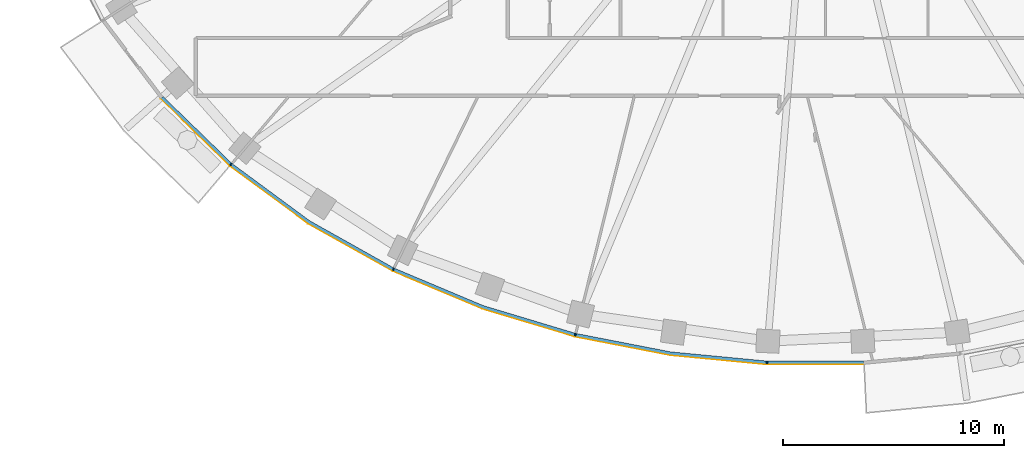
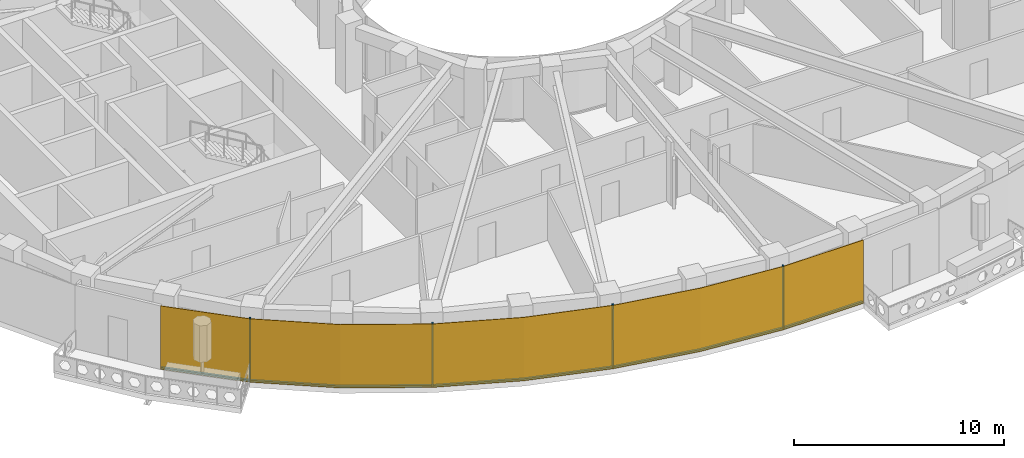
# One storey, part 9 of 17: 9 members, 1 curtain wall.
"""IFC4 building model written with IfcOpenShell, lengths in metres."""

import ifcopenshell
import ifcopenshell.guid

model = None  # the IFC model being written
_history = None  # IfcOwnerHistory: only IFC2X3 demands one
_inside = {}  # id of a spatial element -> (the spatial element, [elements in it])
_under = {}  # id of a project, library or spatial element -> (it, [spatial elements below it])
_declared = {}  # id of a project -> (the project, [libraries it declares])
_typed = {}  # id of a type object -> (the type object, [elements of that type])
_made_of = {}  # id of a material, layer set ... -> (it, [elements and type objects made of it])


def new_model(schema):
    """Start an empty IFC model of exactly this schema.

    Asked for "IFC4X3", IfcOpenShell would pick the latest addendum, in which some entities
    have other attributes; the version numbers below select the first issue.
    IFC2X3 requires an IfcOwnerHistory on every rooted entity: one is made here for all.
    """
    global model, _history
    if schema == "IFC4X3":
        model = ifcopenshell.file(schema_version=(4, 3, 0, 0))
    else:
        model = ifcopenshell.file(schema=schema)
    _inside.clear()
    _under.clear()
    _declared.clear()
    _typed.clear()
    _made_of.clear()
    _history = None
    if model.schema == "IFC2X3":
        org = make("IfcOrganization", Name="unknown")
        user = make(
            "IfcPersonAndOrganization",
            ThePerson=make("IfcPerson", FamilyName="unknown"),
            TheOrganization=org,
        )
        app = make(
            "IfcApplication",
            ApplicationDeveloper=org,
            Version="unknown",
            ApplicationFullName="unknown",
            ApplicationIdentifier="unknown",
        )
        _history = make(
            "IfcOwnerHistory",
            OwningUser=user,
            OwningApplication=app,
            ChangeAction="ADDED",
            CreationDate=0,
        )
    return model


def make(cls, **values):
    """One entity of the class cls with the attributes given. An attribute that is None is left unset."""
    return model.create_entity(
        cls, **{name: value for name, value in values.items() if value is not None}
    )


def rooted(cls, **values):
    """An entity with a GlobalId (a new one), such as an element, a storey or a relation."""
    return make(cls, GlobalId=ifcopenshell.guid.new(), OwnerHistory=_history, **values)


def si_unit(unit_type, name, prefix=None):
    """IfcSIUnit, for example si_unit("LENGTHUNIT", "METRE", prefix="MILLI")."""
    return make("IfcSIUnit", UnitType=unit_type, Prefix=prefix, Name=name)


def assignment(units):
    """IfcUnitAssignment: the units of a project."""
    return None if units is None else make("IfcUnitAssignment", Units=units)


def point(xyz):
    """IfcCartesianPoint."""
    return None if xyz is None else make("IfcCartesianPoint", Coordinates=xyz)


def direction(xyz):
    """IfcDirection."""
    return None if xyz is None else make("IfcDirection", DirectionRatios=xyz)


def frame(location, z_axis=None, x_axis=None):
    """IfcAxis2Placement3D, a coordinate frame: its origin and axes. An axis left out is left unset."""
    return make(
        "IfcAxis2Placement3D",
        Location=point(location),
        Axis=direction(z_axis),
        RefDirection=direction(x_axis),
    )


def frame_2d(location, x_axis=None):
    """IfcAxis2Placement2D, a coordinate frame in the plane: its origin and x axis."""
    return make(
        "IfcAxis2Placement2D", Location=point(location), RefDirection=direction(x_axis)
    )


def origin():
    """The frame at (0, 0, 0) with its axes left unset."""
    return frame((0.0, 0.0, 0.0))


def origin_2d():
    """The frame at (0, 0) in the plane with its x axis left unset."""
    return frame_2d((0.0, 0.0))


def place(relative_to, where):
    """IfcLocalPlacement: puts the frame where relative to a parent placement (None: the world)."""
    return make(
        "IfcLocalPlacement", PlacementRelTo=relative_to, RelativePlacement=where
    )


def context(
    kind, dimensions, precision=None, world=None, true_north=None, identifier=None
):
    """IfcGeometricRepresentationContext, for example the 3D "Model" context."""
    return make(
        "IfcGeometricRepresentationContext",
        ContextIdentifier=identifier,
        ContextType=kind,
        CoordinateSpaceDimension=dimensions,
        Precision=precision,
        WorldCoordinateSystem=world,
        TrueNorth=true_north,
    )


def subcontext(parent, identifier, kind, view, scale=None):
    """IfcGeometricRepresentationSubContext, for example "Body" below "Model"."""
    return make(
        "IfcGeometricRepresentationSubContext",
        ContextIdentifier=identifier,
        ContextType=kind,
        ParentContext=parent,
        TargetScale=scale,
        TargetView=view,
    )


def project(units=None, contexts=None):
    """IfcProject with its units and contexts."""
    return rooted(
        "IfcProject",
        Name="project",
        RepresentationContexts=contexts,
        UnitsInContext=assignment(units),
    )


def spatial(cls, under=None, at=None, **own):
    """A site, building, storey or space (cls), placed at a placement, below another one or the project."""
    s = rooted(cls, ObjectPlacement=at, **own)
    if under is not None:
        _under.setdefault(under.id(), (under, []))[1].append(s)
    return s


def polyline(points):
    """IfcPolyline through the points."""
    return make("IfcPolyline", Points=[point(p) for p in points])


def profile(cls, at=None, kind="AREA", **sizes):
    """A parametric profile (cls). Its sizes go by their IFC names, for example OverallWidth=200.0."""
    return make(cls, ProfileType=kind, Position=at, **sizes)


def rectangle(**sizes):
    """IfcRectangleProfileDef."""
    return profile("IfcRectangleProfileDef", **sizes)


def outline(outer, holes=None, kind="AREA"):
    """IfcArbitraryClosedProfileDef: a profile drawn as a closed curve; with holes, ...WithVoids."""
    if holes is None:
        return make("IfcArbitraryClosedProfileDef", ProfileType=kind, OuterCurve=outer)
    return make(
        "IfcArbitraryProfileDefWithVoids",
        ProfileType=kind,
        OuterCurve=outer,
        InnerCurves=holes,
    )


def extrude(swept, where, along, depth):
    """IfcExtrudedAreaSolid: the profile swept, set in the frame where, extruded along a direction by depth."""
    return make(
        "IfcExtrudedAreaSolid",
        SweptArea=swept,
        Position=where,
        ExtrudedDirection=direction(along),
        Depth=depth,
    )


def shape(context_of_items, identifier, shape_type, items):
    """IfcShapeRepresentation: the items that make up one representation, for example the "Body"."""
    return make(
        "IfcShapeRepresentation",
        ContextOfItems=context_of_items,
        RepresentationIdentifier=identifier,
        RepresentationType=shape_type,
        Items=items,
    )


def material(Name=None, Category=None):
    """IfcMaterial."""
    return make("IfcMaterial", Name=Name, Category=Category)


def layer(
    of_material, thickness, ventilated=None, Name=None, Category=None, Priority=None
):
    """IfcMaterialLayer: one layer of a wall or slab, of a material (None: an air gap)."""
    return make(
        "IfcMaterialLayer",
        Material=of_material,
        LayerThickness=thickness,
        IsVentilated=ventilated,
        Name=Name,
        Category=Category,
        Priority=Priority,
    )


def layer_set(layers, Name=None):
    """IfcMaterialLayerSet."""
    return make("IfcMaterialLayerSet", MaterialLayers=layers, LayerSetName=Name)


def material_profile(
    of_material, cross_section, Name=None, Category=None, Priority=None
):
    """IfcMaterialProfile: a cross section and its material."""
    return make(
        "IfcMaterialProfile",
        Name=Name,
        Material=of_material,
        Profile=cross_section,
        Priority=Priority,
        Category=Category,
    )


def profile_set(profiles, Name=None, composite=None):
    """IfcMaterialProfileSet."""
    return make(
        "IfcMaterialProfileSet",
        Name=Name,
        MaterialProfiles=profiles,
        CompositeProfile=composite,
    )


def made_of(thing, what):
    """Note that an element or type object is made of a material, layer set ...; save() writes the relation."""
    if what is not None:
        _made_of.setdefault(what.id(), (what, []))[1].append(thing)
    return thing


def type_object(cls, material=None, **own):
    """A type object (cls), such as IfcWallType, which elements share."""
    return made_of(rooted(cls, **own), material)


def element(
    cls,
    number,
    at=None,
    inside=None,
    cuts=None,
    type_object=None,
    material=None,
    context=None,
    identifier="Body",
    shape_type=None,
    held_by="IfcProductDefinitionShape",
    body=None,
    shapes=None,
    **own,
):
    """One element of the class cls, such as IfcWall. Its Tag is "e" and its number.

    at: its placement. inside: the storey or other place that contains it. cuts: it is an
    opening in that element (IfcRelVoidsElement). A single representation is given by context,
    identifier, shape_type and body (its items); several are given by shapes. held_by: the class
    of the entity that holds the representations. save() writes the other relations.
    """
    e = rooted(cls, Tag="e%d" % number, ObjectPlacement=at, **own)
    if body is not None:
        shapes = [shape(context, identifier, shape_type, body)]
    if shapes is not None:
        e.Representation = make(held_by, Representations=shapes)
    if inside is not None:
        _inside.setdefault(inside.id(), (inside, []))[1].append(e)
    if cuts is not None:
        rooted(
            "IfcRelVoidsElement", RelatingBuildingElement=cuts, RelatedOpeningElement=e
        )
    if type_object is not None:
        _typed.setdefault(type_object.id(), (type_object, []))[1].append(e)
    return made_of(e, material)


def aggregate(whole, parts):
    """IfcRelAggregates: a whole, such as a stair, and the parts it consists of."""
    return rooted("IfcRelAggregates", RelatingObject=whole, RelatedObjects=parts)


def save(model, path):
    """Write the relations noted so far, then the file.

    IfcRelAggregates (storeys below a building ...), IfcRelContainedInSpatialStructure (elements
    in a storey), IfcRelDefinesByType, IfcRelAssociatesMaterial and IfcRelDeclares: one each for
    every whole, place, type object, material and project.
    """
    for whole, parts in _under.values():
        aggregate(whole, parts)
    for where, things in _inside.values():
        rooted(
            "IfcRelContainedInSpatialStructure",
            RelatedElements=things,
            RelatingStructure=where,
        )
    for kind, things in _typed.values():
        rooted("IfcRelDefinesByType", RelatedObjects=things, RelatingType=kind)
    for what, things in _made_of.values():
        rooted("IfcRelAssociatesMaterial", RelatedObjects=things, RelatingMaterial=what)
    for by, libraries in _declared.values():
        rooted("IfcRelDeclares", RelatingContext=by, RelatedDefinitions=libraries)
    model.write(path)


model = new_model("IFC4")

# Units and contexts
model_context = context("Model", 3, precision=1e-05, world=origin(), true_north=direction((0.0, 1.0)))
body_context = subcontext(model_context, "Body", "Model", "MODEL_VIEW")
ifc_project = project(units=[si_unit("LENGTHUNIT", "METRE"), si_unit("AREAUNIT", "SQUARE_METRE"), si_unit("VOLUMEUNIT", "CUBIC_METRE"), si_unit("PLANEANGLEUNIT", "RADIAN"), si_unit("MASSUNIT", "GRAM", prefix="KILO")], contexts=[model_context])

# Member
ifc_material_1 = material(Name="Aluminium 6063-T6 black anodised", Category="aluminium")
ifc_material_profile = material_profile(ifc_material_1, rectangle(XDim=0.1201171875, YDim=0.06005859375, at=origin_2d()), Name="120x60")
ifc_profile_set = profile_set([ifc_material_profile], Name="Aluminium 6063-T6 black anodised")
member_type_1 = type_object("IfcMemberType", Name="ENV-MULLION-A-120", PredefinedType="MULLION", material=ifc_profile_set)
site_placement = place(None, origin())
building_placement = place(site_placement, origin())
storey_placement = place(building_placement, frame((0.0, 0.0, 269.5)))
member_1_placement = place(storey_placement, frame((-26.403564453125, -18.9130859375, 0.0), z_axis=(0.0, 0.0, 1.0), x_axis=(0.646451313783, 0.762955240435, 0.0)))
member_1 = element("IfcMember", 1, at=member_1_placement, type_object=member_type_1, Name="Mullion A radial 29", PredefinedType="MULLION", context=body_context, shape_type="SweptSolid", body=[
    extrude(rectangle(XDim=0.1201171875, YDim=0.06005859375, at=origin_2d()), origin(), (0.0, 0.0, 1.0), 3.699951171875),
])

member_2_placement = place(storey_placement, frame((-19.06787109375, -23.6474609375, 0.0), z_axis=(0.0, 0.0, 1.0), x_axis=(0.439237769837, 0.898370848563, 0.0)))
member_2 = element("IfcMember", 2, at=member_2_placement, type_object=member_type_1, Name="Mullion A radial 31", PredefinedType="MULLION", context=body_context, shape_type="SweptSolid", body=[
    extrude(rectangle(XDim=0.1201171875, YDim=0.06005859375, at=origin_2d()), origin(), (0.0, 0.0, 1.0), 3.699951171875),
])

member_3_placement = place(storey_placement, frame((-10.84326171875, -26.60498046875, 0.0), z_axis=(0.0, 0.0, 1.0), x_axis=(0.239799081534, 0.970822538106, 0.0)))
member_3 = element("IfcMember", 3, at=member_3_placement, type_object=member_type_1, Name="Mullion A radial 33", PredefinedType="MULLION", context=body_context, shape_type="SweptSolid", body=[
    extrude(rectangle(XDim=0.1201171875, YDim=0.06005859375, at=origin_2d()), origin(), (0.0, 0.0, 1.0), 3.699951171875),
])

member_4_placement = place(storey_placement, frame((-2.188720703125, -27.856201171875, 0.0), z_axis=(0.0, 0.0, 1.0), x_axis=(0.047557873581, 0.998868484166, 0.0)))
member_4 = element("IfcMember", 4, at=member_4_placement, type_object=member_type_1, Name="Mullion A radial 35", PredefinedType="MULLION", context=body_context, shape_type="SweptSolid", body=[
    extrude(rectangle(XDim=0.1201171875, YDim=0.06005859375, at=origin_2d()), origin(), (0.0, 0.0, 1.0), 3.699951171875),
])

ifc_material_2 = material(Name="Aluminium 6063-T6 black anodised", Category="aluminium")
member_type_2 = type_object("IfcMemberType", Name="ENV-TRANSOM-A", PredefinedType="USERDEFINED", material=ifc_material_2)
member_5_placement = place(storey_placement, origin())
member_5 = element("IfcMember", 5, at=member_5_placement, type_object=member_type_2, Name="Transom A radial 28-29", ObjectType="TRANSOM", PredefinedType="USERDEFINED", context=body_context, shape_type="SweptSolid", body=[
    extrude(outline(polyline([(-29.569091796875, -15.9208984375), (-26.46240234375, -18.939208984375), (-26.384765625, -18.847412109375), (-29.47900390625, -15.841064453125), (-29.569091796875, -15.9208984375)])), origin(), (0.0, 0.0, 1.0), 0.10009765625),
])

member_6_placement = place(storey_placement, origin())
member_6 = element("IfcMember", 6, at=member_6_placement, type_object=member_type_2, Name="Transom A radial 29-31", ObjectType="TRANSOM", PredefinedType="USERDEFINED", context=body_context, shape_type="SweptSolid", body=[
    extrude(outline(polyline([(-26.419921875, -18.975341796875), (-22.9150390625, -21.556884765625), (-19.11865234375, -23.687744140625), (-19.06591796875, -23.57958984375), (-22.85009765625, -21.455810546875), (-26.342041015625, -18.883544921875), (-26.419921875, -18.975341796875)])), origin(), (0.0, 0.0, 1.0), 0.10009765625),
])

member_7_placement = place(storey_placement, origin())
member_7 = element("IfcMember", 7, at=member_7_placement, type_object=member_type_2, Name="Transom A radial 31-33", ObjectType="TRANSOM", PredefinedType="USERDEFINED", context=body_context, shape_type="SweptSolid", body=[
    extrude(outline(polyline([(-19.068359375, -23.71240234375), (-15.054443359375, -25.400146484375), (-10.884521484375, -26.655029296875), (-10.855712890625, -26.53857421875), (-15.013916015625, -25.287109375), (-19.015380859375, -23.604248046875), (-19.068359375, -23.71240234375)])), origin(), (0.0, 0.0, 1.0), 0.10009765625),
])

member_8_placement = place(storey_placement, origin())
member_8 = element("IfcMember", 8, at=member_8_placement, type_object=member_type_2, Name="Transom A radial 33-35", ObjectType="TRANSOM", PredefinedType="USERDEFINED", context=body_context, shape_type="SweptSolid", body=[
    extrude(outline(polyline([(-10.830078125, -26.66845703125), (-6.55517578125, -27.49951171875), (-2.219482421875, -27.913330078125), (-2.2138671875, -27.793212890625), (-6.537841796875, -27.380615234375), (-10.80126953125, -26.552001953125), (-10.830078125, -26.66845703125)])), origin(), (0.0, 0.0, 1.0), 0.10009765625),
])

member_9_placement = place(storey_placement, origin())
member_9 = element("IfcMember", 9, at=member_9_placement, type_object=member_type_2, Name="Transom A radial 35-36", ObjectType="TRANSOM", PredefinedType="USERDEFINED", context=body_context, shape_type="SweptSolid", body=[
    extrude(outline(polyline([(-2.163818359375, -27.916015625), (2.171630859375, -27.916015625), (2.166015625, -27.7958984375), (-2.157958984375, -27.7958984375), (-2.163818359375, -27.916015625)])), origin(), (0.0, 0.0, 1.0), 0.10009765625),
])

# Site, building, storey
site = spatial("IfcSite", under=ifc_project, at=site_placement, CompositionType="ELEMENT")
building = spatial("IfcBuilding", under=site, at=building_placement, Name="Noorbagh Ring Tower", CompositionType="ELEMENT")
storey = spatial("IfcBuildingStorey", under=building, at=storey_placement, Name="L57", CompositionType="ELEMENT", Elevation=269.5)

# Curtain wall
ifc_material_3 = material(Name="Glass dark tinted laminated", Category="glass")
ifc_layer = layer(ifc_material_3, 0.031982421875)
ifc_layer_set = layer_set([ifc_layer], Name="Glass dark tinted laminated")
curtain_wall_type = type_object("IfcCurtainWallType", Name="ENV-CW-A", PredefinedType="NOTDEFINED", material=ifc_layer_set)
curtain_wall_placement = place(storey_placement, origin())
curtain_wall = element("IfcCurtainWall", 10, at=curtain_wall_placement, inside=storey, type_object=curtain_wall_type, Name="Curtain wall A R28", PredefinedType="NOTDEFINED", context=body_context, shape_type="SweptSolid", body=[
    extrude(outline(polyline([(-29.59326171875, -15.942138671875), (-26.463134765625, -18.9833984375), (-22.9326171875, -21.583740234375), (-19.108154296875, -23.730224609375), (-15.065185546875, -25.430419921875), (-10.865234375, -26.6943359375), (-6.559814453125, -27.53125), (-2.193115234375, -27.947998046875), (2.173095703125, -27.947998046875), (2.171630859375, -27.916015625), (-2.191650390625, -27.916015625), (-6.55517578125, -27.49951171875), (-10.857666015625, -26.6630859375), (-15.054443359375, -25.400146484375), (-19.093994140625, -23.701416015625), (-22.9150390625, -21.556884765625), (-26.4423828125, -18.958740234375), (-29.569091796875, -15.9208984375), (-29.59326171875, -15.942138671875)])), origin(), (0.0, 0.0, 1.0), 3.699951171875),
])

aggregate(curtain_wall, [member_1, member_2, member_3, member_4, member_5, member_6, member_7, member_8, member_9])

save(model, "model.ifc")
